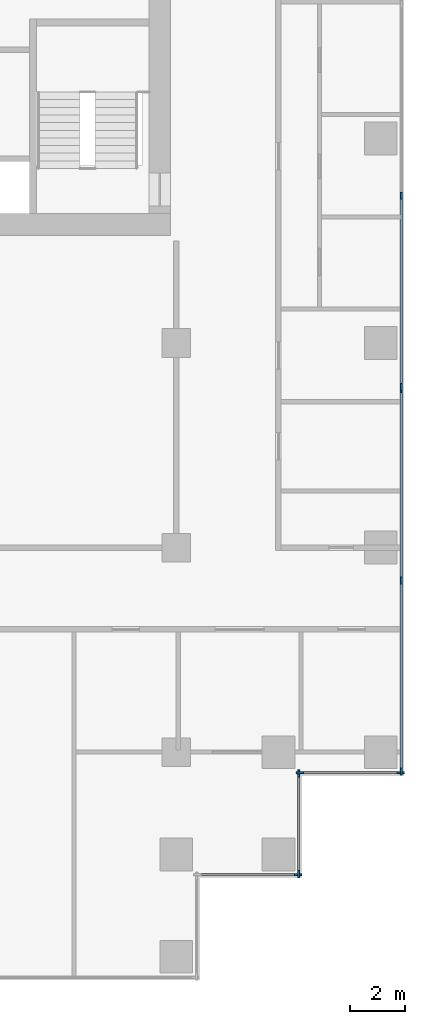
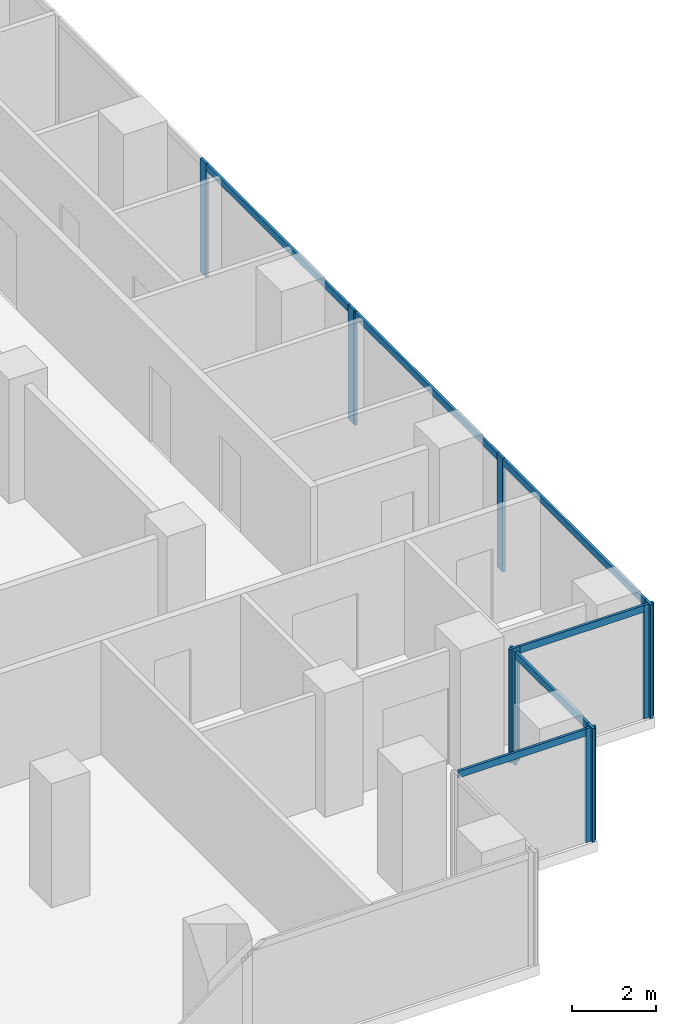
# One storey, part 3 of 11: 16 members, 5 elements without a shape of their own.
"""IFC4 building model written with IfcOpenShell, lengths in metres."""

from ifc_helpers import new_model, si_unit, direction, frame, origin, origin_2d, place, context, subcontext, project, spatial, rectangle, extrude, material, material_profile, profile_set, type_object, element, aggregate, save


model = new_model("IFC4")

# Units and contexts
model_context = context("Model", 3, precision=1e-05, world=origin(), true_north=direction((0.0, 1.0)))
body_context = subcontext(model_context, "Body", "Model", "MODEL_VIEW")
ifc_project = project(units=[si_unit("LENGTHUNIT", "METRE"), si_unit("AREAUNIT", "SQUARE_METRE"), si_unit("VOLUMEUNIT", "CUBIC_METRE"), si_unit("PLANEANGLEUNIT", "RADIAN"), si_unit("MASSUNIT", "GRAM", prefix="KILO")], contexts=[model_context])

# Site, building, storey
site_placement = place(None, origin())
site = spatial("IfcSite", under=ifc_project, at=site_placement, CompositionType="ELEMENT")
building_placement = place(site_placement, origin())
building = spatial("IfcBuilding", under=site, at=building_placement, Name="Pilkhan Gate Tower", CompositionType="ELEMENT")
storey_placement = place(building_placement, frame((0.0, 0.0, 151.300048828125)))
storey = spatial("IfcBuildingStorey", under=building, at=storey_placement, Name="L38", CompositionType="ELEMENT", Elevation=151.300048828125)

# Curtain wall, members
ifc_material_1 = material(Name="Pale anodised aluminium, clear low-iron double glazing", Category="aluminium")
curtain_wall_type = type_object("IfcCurtainWallType", Name="Office unitised curtain wall CW-O1", PredefinedType="USERDEFINED", material=ifc_material_1)
curtain_wall_1_placement = place(storey_placement, origin())
curtain_wall_1 = element("IfcCurtainWall", 1, at=curtain_wall_1_placement, inside=storey, type_object=curtain_wall_type, Name="Office unitised curtain wall CW-O1 L38 E", ObjectType="UNITISED CURTAIN WALL", PredefinedType="USERDEFINED")
ifc_material_2 = material(Name="Pale anodised aluminium", Category="aluminium")
ifc_material_profile_1 = material_profile(ifc_material_2, rectangle(XDim=0.070068359375, YDim=0.27490234375, at=origin_2d()), Name="Mullion 275x70")
ifc_profile_set_1 = profile_set([ifc_material_profile_1], Name="Pale anodised aluminium")
member_type_1 = type_object("IfcMemberType", Name="Mullion CW-O1 275x70", PredefinedType="MULLION", material=ifc_profile_set_1)
member_1_placement = place(storey_placement, frame((98.25, 51.784912109375, 0.0), z_axis=(0.0, 0.0, 1.0), x_axis=(-1.0, 0.0, 0.0)))
member_1 = element("IfcMember", 2, at=member_1_placement, type_object=member_type_1, Name="CW-O1 mullion 1", PredefinedType="MULLION", context=body_context, shape_type="SweptSolid", body=[
    extrude(rectangle(XDim=0.070068359375, YDim=0.27490234375, at=origin_2d()), origin(), (0.0, 0.0, 1.0), 3.300048828125),
])
member_2_placement = place(storey_placement, frame((98.25, 58.800048828125, 0.0), z_axis=(0.0, 0.0, 1.0), x_axis=(-1.0, 0.0, 0.0)))
member_2 = element("IfcMember", 3, at=member_2_placement, type_object=member_type_1, Name="CW-O1 mullion 2", PredefinedType="MULLION", context=body_context, shape_type="SweptSolid", body=[
    extrude(rectangle(XDim=0.070068359375, YDim=0.27490234375, at=origin_2d()), origin(), (0.0, 0.0, 1.0), 3.300048828125),
])
member_3_placement = place(storey_placement, frame((98.25, 65.81494140625, 0.0), z_axis=(0.0, 0.0, 1.0), x_axis=(-1.0, 0.0, 0.0)))
member_3 = element("IfcMember", 4, at=member_3_placement, type_object=member_type_1, Name="CW-O1 mullion 3", PredefinedType="MULLION", context=body_context, shape_type="SweptSolid", body=[
    extrude(rectangle(XDim=0.070068359375, YDim=0.27490234375, at=origin_2d()), origin(), (0.0, 0.0, 1.0), 3.300048828125),
])

curtain_wall_2_placement = place(storey_placement, origin())
curtain_wall_2 = element("IfcCurtainWall", 5, at=curtain_wall_2_placement, inside=storey, type_object=curtain_wall_type, Name="Office unitised curtain wall CW-O1 L38 E", ObjectType="UNITISED CURTAIN WALL", PredefinedType="USERDEFINED")
member_4_placement = place(storey_placement, frame((98.25, 65.885009765625, 0.0), z_axis=(0.0, 0.0, 1.0), x_axis=(-1.0, 0.0, 0.0)))
member_4 = element("IfcMember", 6, at=member_4_placement, type_object=member_type_1, Name="CW-O1 mullion 1", PredefinedType="MULLION", context=body_context, shape_type="SweptSolid", body=[
    extrude(rectangle(XDim=0.070068359375, YDim=0.27490234375, at=origin_2d()), origin(), (0.0, 0.0, 1.0), 3.300048828125),
])
member_5_placement = place(storey_placement, frame((98.25, 72.89990234375, 0.0), z_axis=(0.0, 0.0, 1.0), x_axis=(-1.0, 0.0, 0.0)))
member_5 = element("IfcMember", 7, at=member_5_placement, type_object=member_type_1, Name="CW-O1 mullion 2", PredefinedType="MULLION", context=body_context, shape_type="SweptSolid", body=[
    extrude(rectangle(XDim=0.070068359375, YDim=0.27490234375, at=origin_2d()), origin(), (0.0, 0.0, 1.0), 3.300048828125),
])

# Curtain wall, member
curtain_wall_3_placement = place(storey_placement, origin())
curtain_wall_3 = element("IfcCurtainWall", 8, at=curtain_wall_3_placement, inside=storey, type_object=curtain_wall_type, Name="Office unitised curtain wall CW-O1 L38 S", ObjectType="UNITISED CURTAIN WALL", PredefinedType="USERDEFINED")
member_6_placement = place(storey_placement, frame((94.465087890625, 48.0, 0.0), z_axis=(0.0, 0.0, 1.0), x_axis=(0.0, 1.0, 0.0)))
member_6 = element("IfcMember", 9, at=member_6_placement, type_object=member_type_1, Name="CW-O1 mullion 2", PredefinedType="MULLION", context=body_context, shape_type="SweptSolid", body=[
    extrude(rectangle(XDim=0.070068359375, YDim=0.27490234375, at=origin_2d()), origin(), (0.0, 0.0, 1.0), 3.300048828125),
])

# Curtain wall, members
curtain_wall_4_placement = place(storey_placement, origin())
curtain_wall_4 = element("IfcCurtainWall", 10, at=curtain_wall_4_placement, inside=storey, type_object=curtain_wall_type, Name="Office unitised curtain wall CW-O1 L38 E", ObjectType="UNITISED CURTAIN WALL", PredefinedType="USERDEFINED")
member_7_placement = place(storey_placement, frame((94.5, 48.034912109375, 0.0), z_axis=(0.0, 0.0, 1.0), x_axis=(-1.0, 0.0, 0.0)))
member_7 = element("IfcMember", 11, at=member_7_placement, type_object=member_type_1, Name="CW-O1 mullion 1", PredefinedType="MULLION", context=body_context, shape_type="SweptSolid", body=[
    extrude(rectangle(XDim=0.070068359375, YDim=0.27490234375, at=origin_2d()), origin(), (0.0, 0.0, 1.0), 3.300048828125),
])
member_8_placement = place(storey_placement, frame((94.5, 51.715087890625, 0.0), z_axis=(0.0, 0.0, 1.0), x_axis=(-1.0, 0.0, 0.0)))
member_8 = element("IfcMember", 12, at=member_8_placement, type_object=member_type_1, Name="CW-O1 mullion 2", PredefinedType="MULLION", context=body_context, shape_type="SweptSolid", body=[
    extrude(rectangle(XDim=0.070068359375, YDim=0.27490234375, at=origin_2d()), origin(), (0.0, 0.0, 1.0), 3.300048828125),
])

curtain_wall_5_placement = place(storey_placement, origin())
curtain_wall_5 = element("IfcCurtainWall", 13, at=curtain_wall_5_placement, inside=storey, type_object=curtain_wall_type, Name="Office unitised curtain wall CW-O1 L38 S", ObjectType="UNITISED CURTAIN WALL", PredefinedType="USERDEFINED")
member_9_placement = place(storey_placement, frame((94.534912109375, 51.75, 0.0), z_axis=(0.0, 0.0, 1.0), x_axis=(0.0, 1.0, 0.0)))
member_9 = element("IfcMember", 14, at=member_9_placement, type_object=member_type_1, Name="CW-O1 mullion 1", PredefinedType="MULLION", context=body_context, shape_type="SweptSolid", body=[
    extrude(rectangle(XDim=0.070068359375, YDim=0.27490234375, at=origin_2d()), origin(), (0.0, 0.0, 1.0), 3.300048828125),
])
member_10_placement = place(storey_placement, frame((98.215087890625, 51.75, 0.0), z_axis=(0.0, 0.0, 1.0), x_axis=(0.0, 1.0, 0.0)))
member_10 = element("IfcMember", 15, at=member_10_placement, type_object=member_type_1, Name="CW-O1 mullion 2", PredefinedType="MULLION", context=body_context, shape_type="SweptSolid", body=[
    extrude(rectangle(XDim=0.070068359375, YDim=0.27490234375, at=origin_2d()), origin(), (0.0, 0.0, 1.0), 3.300048828125),
])

# Member
ifc_material_profile_2 = material_profile(ifc_material_2, rectangle(XDim=0.070068359375, YDim=0.199951171875, at=origin_2d()), Name="Transom 200x70")
ifc_profile_set_2 = profile_set([ifc_material_profile_2], Name="Pale anodised aluminium")
member_type_2 = type_object("IfcMemberType", Name="Transom CW-O1 200x70", PredefinedType="USERDEFINED", material=ifc_profile_set_2)
member_11_placement = place(storey_placement, frame((98.25, 51.820068359375, 3.199951171875), z_axis=(0.0, 1.0, 0.0), x_axis=(-1.0, 0.0, 0.0)))
member_11 = element("IfcMember", 16, at=member_11_placement, type_object=member_type_2, Name="CW-O1 transom 1", ObjectType="TRANSOM", PredefinedType="USERDEFINED", context=body_context, shape_type="SweptSolid", body=[
    extrude(rectangle(XDim=0.070068359375, YDim=0.199951171875, at=origin_2d()), origin(), (0.0, 0.0, 1.0), 6.94482421875),
])

member_12_placement = place(storey_placement, frame((98.25, 58.8349609375, 3.199951171875), z_axis=(0.0, 1.0, 0.0), x_axis=(-1.0, 0.0, 0.0)))
member_12 = element("IfcMember", 17, at=member_12_placement, type_object=member_type_2, Name="CW-O1 transom 2", ObjectType="TRANSOM", PredefinedType="USERDEFINED", context=body_context, shape_type="SweptSolid", body=[
    extrude(rectangle(XDim=0.070068359375, YDim=0.199951171875, at=origin_2d()), origin(), (0.0, 0.0, 1.0), 6.945068359375),
])

aggregate(curtain_wall_1, [member_1, member_2, member_3, member_11, member_12])

member_13_placement = place(storey_placement, frame((98.25, 65.919921875, 3.199951171875), z_axis=(0.0, 1.0, 0.0), x_axis=(-1.0, 0.0, 0.0)))
member_13 = element("IfcMember", 18, at=member_13_placement, type_object=member_type_2, Name="CW-O1 transom 1", ObjectType="TRANSOM", PredefinedType="USERDEFINED", context=body_context, shape_type="SweptSolid", body=[
    extrude(rectangle(XDim=0.070068359375, YDim=0.199951171875, at=origin_2d()), origin(), (0.0, 0.0, 1.0), 6.945068359375),
])

aggregate(curtain_wall_2, [member_4, member_5, member_13])

member_14_placement = place(storey_placement, frame((90.820068359375, 48.0, 3.199951171875), z_axis=(1.0, 0.0, 0.0), x_axis=(0.0, 1.0, 0.0)))
member_14 = element("IfcMember", 19, at=member_14_placement, type_object=member_type_2, Name="CW-O1 transom 1", ObjectType="TRANSOM", PredefinedType="USERDEFINED", context=body_context, shape_type="SweptSolid", body=[
    extrude(rectangle(XDim=0.070068359375, YDim=0.199951171875, at=origin_2d()), origin(), (0.0, 0.0, 1.0), 3.60986328125),
])

aggregate(curtain_wall_3, [member_6, member_14])

member_15_placement = place(storey_placement, frame((94.5, 48.070068359375, 3.199951171875), z_axis=(0.0, 1.0, 0.0), x_axis=(-1.0, 0.0, 0.0)))
member_15 = element("IfcMember", 20, at=member_15_placement, type_object=member_type_2, Name="CW-O1 transom 1", ObjectType="TRANSOM", PredefinedType="USERDEFINED", context=body_context, shape_type="SweptSolid", body=[
    extrude(rectangle(XDim=0.070068359375, YDim=0.199951171875, at=origin_2d()), origin(), (0.0, 0.0, 1.0), 3.60986328125),
])

aggregate(curtain_wall_4, [member_7, member_8, member_15])

member_16_placement = place(storey_placement, frame((94.570068359375, 51.75, 3.199951171875), z_axis=(1.0, 0.0, 0.0), x_axis=(0.0, 1.0, 0.0)))
member_16 = element("IfcMember", 21, at=member_16_placement, type_object=member_type_2, Name="CW-O1 transom 1", ObjectType="TRANSOM", PredefinedType="USERDEFINED", context=body_context, shape_type="SweptSolid", body=[
    extrude(rectangle(XDim=0.070068359375, YDim=0.199951171875, at=origin_2d()), origin(), (0.0, 0.0, 1.0), 3.60986328125),
])

aggregate(curtain_wall_5, [member_9, member_10, member_16])

save(model, "model.ifc")
